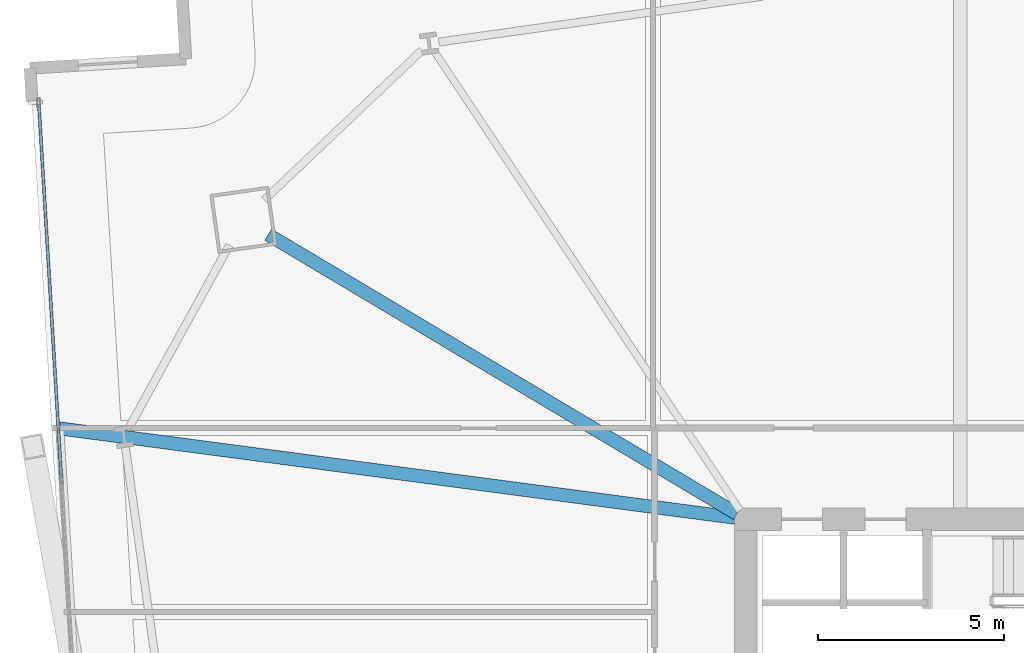
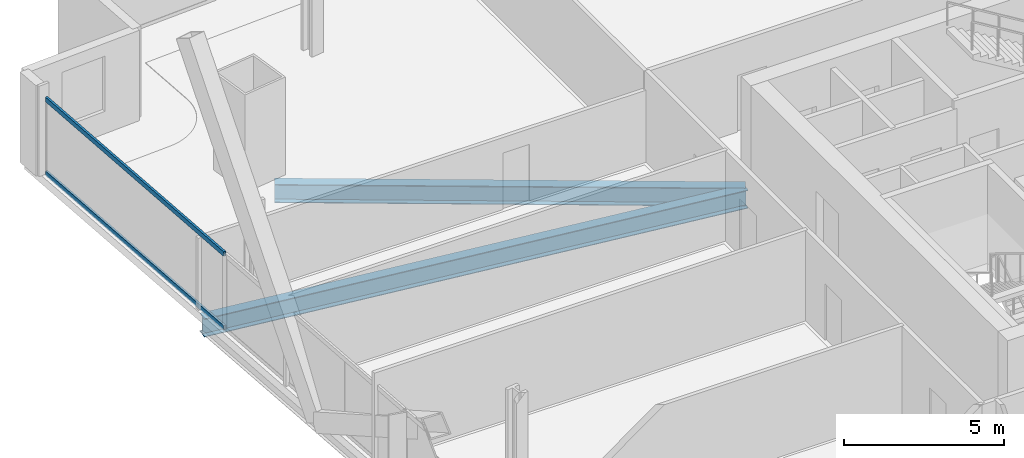
# One storey, part 15 of 34: 2 beams, 2 members, 1 element without a shape of its own.
"""IFC4 building model written with IfcOpenShell, lengths in metres."""

from ifc_helpers import new_model, si_unit, direction, frame, origin, origin_2d, place, context, subcontext, project, spatial, hollow_rectangle, i_section, extrude, material, material_profile, profile_set, type_object, element, aggregate, save


model = new_model("IFC4")

# Units and contexts
model_context = context("Model", 3, precision=1e-05, world=origin(), true_north=direction((0.0, 1.0)))
body_context = subcontext(model_context, "Body", "Model", "MODEL_VIEW")
ifc_project = project(units=[si_unit("LENGTHUNIT", "METRE"), si_unit("AREAUNIT", "SQUARE_METRE"), si_unit("VOLUMEUNIT", "CUBIC_METRE"), si_unit("PLANEANGLEUNIT", "RADIAN"), si_unit("MASSUNIT", "GRAM", prefix="KILO")], contexts=[model_context])

# Site, building, storey
site_placement = place(None, origin())
site = spatial("IfcSite", under=ifc_project, at=site_placement, CompositionType="ELEMENT")
building_placement = place(site_placement, origin())
building = spatial("IfcBuilding", under=site, at=building_placement, Name="Haldenkirk Collegiate Tower", CompositionType="ELEMENT")
storey_placement = place(building_placement, frame((0.0, 0.0, 40.199951171875)))
storey = spatial("IfcBuildingStorey", under=building, at=storey_placement, Name="L08", CompositionType="ELEMENT", Elevation=40.199951171875)

# Beams
ifc_material_1 = material(Name="Steel ASTM A992 Grade 50", Category="steel")
ifc_material_profile_1 = material_profile(ifc_material_1, i_section(OverallWidth=0.35498046875, OverallDepth=0.696044921875, WebThickness=0.015380859375, FlangeThickness=0.02490234375, at=origin_2d()), Name="W27X146")
ifc_profile_set_1 = profile_set([ifc_material_profile_1], Name="Steel ASTM A992 Grade 50")
beam_type = type_object("IfcBeamType", Name="BM-GIRDER-W27X146", PredefinedType="BEAM", material=ifc_profile_set_1)
beam_1_placement = place(storey_placement, frame((14.14990234375, 41.6552734375, -0.657958984375), z_axis=(0.859106056552, -0.511797600225, 0.0), x_axis=(0.511797600225, 0.859106056552, 0.0)))
element("IfcBeam", 1, at=beam_1_placement, inside=storey, type_object=beam_type, Name="L08 primary floor girder 04", PredefinedType="BEAM", context=body_context, shape_type="SweptSolid", body=[
    extrude(i_section(OverallWidth=0.35498046875, OverallDepth=0.696044921875, WebThickness=0.015380859375, FlangeThickness=0.02490234375, at=origin_2d()), origin(), (0.0, 0.0, 1.0), 14.677490234375),
])
beam_2_placement = place(storey_placement, frame((8.5419921875, 36.44091796875, -0.657958984375), z_axis=(0.991368486531, -0.131105011016, 0.0), x_axis=(0.131105011016, 0.991368486531, 0.0)))
element("IfcBeam", 2, at=beam_2_placement, inside=storey, type_object=beam_type, Name="L08 primary floor girder 14", PredefinedType="BEAM", context=body_context, shape_type="SweptSolid", body=[
    extrude(i_section(OverallWidth=0.35498046875, OverallDepth=0.696044921875, WebThickness=0.015380859375, FlangeThickness=0.02490234375, at=origin_2d()), origin(), (0.0, 0.0, 1.0), 18.338623046875),
])

# Curtain wall, members
ifc_material_2 = material(Name="Anodised architectural bronze aluminium", Category="aluminium")
curtain_wall_type = type_object("IfcCurtainWallType", Name="CW-SYS1-CONVEX-LOW", PredefinedType="USERDEFINED", material=ifc_material_2)
curtain_wall_placement = place(storey_placement, origin())
curtain_wall = element("IfcCurtainWall", 3, at=curtain_wall_placement, inside=storey, type_object=curtain_wall_type, Name="L08 Lower tower convex bronze-framed unitised curtain wall", ObjectType="UNITISED CURTAIN WALL", PredefinedType="USERDEFINED")
ifc_material_profile_2 = material_profile(ifc_material_2, hollow_rectangle(XDim=0.080078125, YDim=0.179931640625, WallThickness=0.0048828125, at=origin_2d()), Name="CW-TRN-1A")
ifc_profile_set_2 = profile_set([ifc_material_profile_2], Name="Anodised architectural bronze aluminium")
member_type = type_object("IfcMemberType", Name="CW-TRN-1A", PredefinedType="USERDEFINED", material=ifc_profile_set_2)
member_1_placement = place(storey_placement, frame((8.582275390625, 35.1064453125, 0.0400390625), z_axis=(-0.060163064771, 0.998188562165, 0.0), x_axis=(-0.998188562165, -0.060163064771, 0.0)))
member_1 = element("IfcMember", 4, at=member_1_placement, type_object=member_type, Name="CW-1A transom 4.1", ObjectType="TRANSOM", PredefinedType="USERDEFINED", context=body_context, shape_type="SweptSolid", body=[
    extrude(hollow_rectangle(XDim=0.080078125, YDim=0.179931640625, WallThickness=0.0048828125, at=origin_2d()), origin(), (0.0, 0.0, 1.0), 10.080078125),
])
member_2_placement = place(storey_placement, frame((8.582275390625, 35.1064453125, 2.85107421875), z_axis=(-0.060163064771, 0.998188562165, 0.0), x_axis=(-0.998188562165, -0.060163064771, 0.0)))
member_2 = element("IfcMember", 5, at=member_2_placement, type_object=member_type, Name="CW-1A transom 4.2", ObjectType="TRANSOM", PredefinedType="USERDEFINED", context=body_context, shape_type="SweptSolid", body=[
    extrude(hollow_rectangle(XDim=0.080078125, YDim=0.179931640625, WallThickness=0.0048828125, at=origin_2d()), origin(), (0.0, 0.0, 1.0), 10.080078125),
])
aggregate(curtain_wall, [member_1, member_2])

save(model, "model.ifc")
